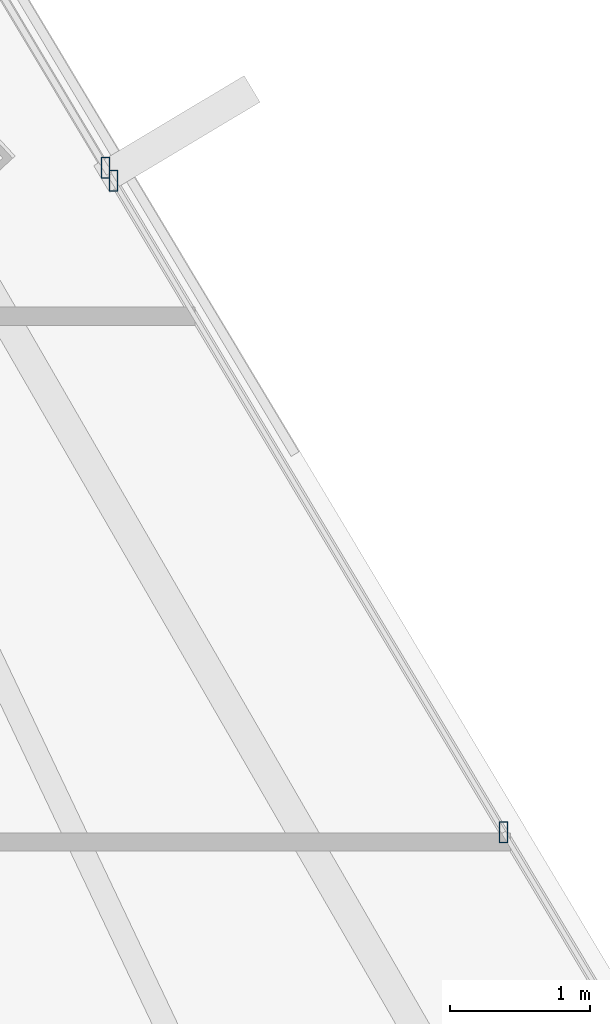
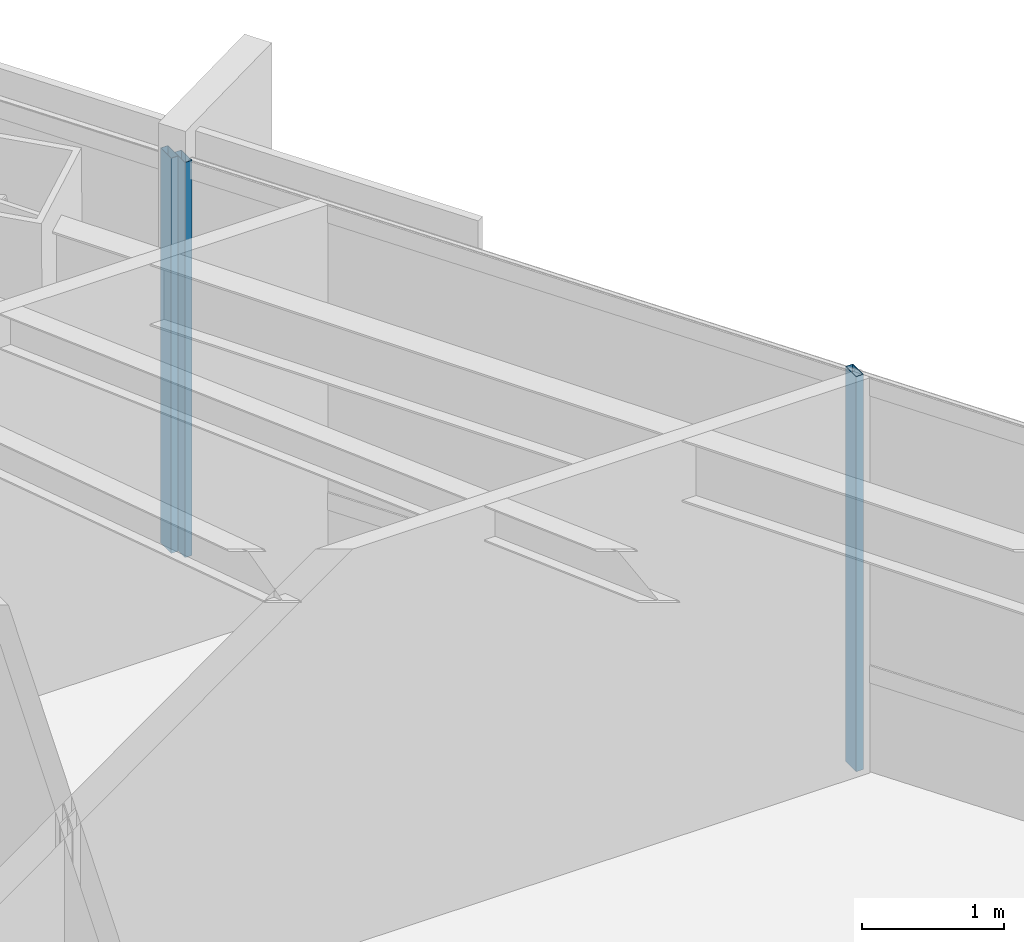
# One storey, part 23 of 41: 3 members, 2 elements without a shape of their own.
"""IFC4 building model written with IfcOpenShell, lengths in metres."""

from ifc_helpers import new_model, si_unit, direction, frame, origin, origin_2d, place, context, subcontext, project, spatial, hollow_rectangle, extrude, source, transform, mapped, material, material_profile, profile_set, type_object, type_shapes, element, aggregate, save


model = new_model("IFC4")

# Units and contexts
model_context = context("Model", 3, precision=1e-05, world=origin(), true_north=direction((0.0, 1.0)))
body_context = subcontext(model_context, "Body", "Model", "MODEL_VIEW")
ifc_project = project(units=[si_unit("LENGTHUNIT", "METRE"), si_unit("AREAUNIT", "SQUARE_METRE"), si_unit("VOLUMEUNIT", "CUBIC_METRE"), si_unit("PLANEANGLEUNIT", "RADIAN"), si_unit("MASSUNIT", "GRAM", prefix="KILO")], contexts=[model_context])

# Site, building, storey
site_placement = place(None, origin())
site = spatial("IfcSite", under=ifc_project, at=site_placement, CompositionType="ELEMENT")
building_placement = place(site_placement, origin())
building = spatial("IfcBuilding", under=site, at=building_placement, Name="Caelisora Broadcast Tower", CompositionType="ELEMENT")
storey_placement = place(building_placement, frame((0.0, 0.0, 180.39990234375)))
storey = spatial("IfcBuildingStorey", under=building, at=storey_placement, Name="L47", CompositionType="ELEMENT", Elevation=180.39990234375)

# Curtain wall, member
ifc_material_1 = material(Name="Unitised Aluminium Insulated Shadow-Box Spandrel Curtain Wall", Category="aluminium")
curtain_wall_type_1 = type_object("IfcCurtainWallType", Name="CW-SP2", PredefinedType="NOTDEFINED", material=ifc_material_1)
curtain_wall_1_placement = place(storey_placement, origin())
curtain_wall_1 = element("IfcCurtainWall", 1, at=curtain_wall_1_placement, inside=storey, type_object=curtain_wall_type_1, Name="L47 curtain wall CW-SP2", PredefinedType="NOTDEFINED")
ifc_material_2 = material(Name="Aluminium 6063-T6 Anodised Terracotta Bronze", Category="aluminium")
ifc_material_profile = material_profile(ifc_material_2, hollow_rectangle(XDim=0.06005859375, YDim=0.14990234375, WallThickness=0.00341796875, at=origin_2d()), Name="Aluminium 6063-T6 Anodised Terracotta Bronze")
ifc_profile_set = profile_set([ifc_material_profile], Name="Aluminium 6063-T6 Anodised Terracotta Bronze")
member_type = type_object("IfcMemberType", Name="CWM-03", PredefinedType="MULLION", material=ifc_profile_set)
shared_shape = source(origin(), body_context, "Body", "SweptSolid", [
    extrude(hollow_rectangle(XDim=0.06005859375, YDim=0.14990234375, WallThickness=0.00341796875, at=origin_2d()), origin(), (0.0, 0.0, 1.0), 3.400146484375),
])
type_shapes(member_type, [shared_shape])
member_1_placement = place(storey_placement, frame((56.103759765625, 27.158935546875, 0.0), z_axis=(0.0, 0.0, 1.0), x_axis=(1.0, 0.0, 0.0)))
member_1 = element("IfcMember", 2, at=member_1_placement, type_object=member_type, Name="L47-CW-B02 mullion #3", PredefinedType="MULLION", context=body_context, shape_type="MappedRepresentation", body=[
    mapped(shared_shape, transform((0.0, 0.0, 0.0), scale=1.0)),
])
aggregate(curtain_wall_1, [member_1])

# Curtain wall, members
ifc_material_3 = material(Name="Unitised Aluminium and Low-E Glass Curtain Wall", Category="glass")
curtain_wall_type_2 = type_object("IfcCurtainWallType", Name="CW-Z3", PredefinedType="NOTDEFINED", material=ifc_material_3)
curtain_wall_2_placement = place(storey_placement, origin())
curtain_wall_2 = element("IfcCurtainWall", 3, at=curtain_wall_2_placement, inside=storey, type_object=curtain_wall_type_2, Name="L47 curtain wall CW-Z3", PredefinedType="NOTDEFINED")
member_2_placement = place(storey_placement, frame((56.160400390625, 27.064697265625, 0.0), z_axis=(0.0, 0.0, 1.0), x_axis=(1.0, 0.0, 0.0)))
member_2 = element("IfcMember", 4, at=member_2_placement, type_object=member_type, Name="L47-CW-B03 mullion #0", PredefinedType="MULLION", context=body_context, shape_type="MappedRepresentation", body=[
    mapped(shared_shape, transform((0.0, 0.0, 0.0), scale=1.0)),
])
member_3_placement = place(storey_placement, frame((58.942138671875, 22.419921875, 0.0), z_axis=(0.0, 0.0, 1.0), x_axis=(1.0, 0.0, 0.0)))
member_3 = element("IfcMember", 5, at=member_3_placement, type_object=member_type, Name="L47-CW-B03 mullion #1", PredefinedType="MULLION", context=body_context, shape_type="MappedRepresentation", body=[
    mapped(shared_shape, transform((0.0, 0.0, 0.0), scale=1.0)),
])
aggregate(curtain_wall_2, [member_2, member_3])

save(model, "model.ifc")
